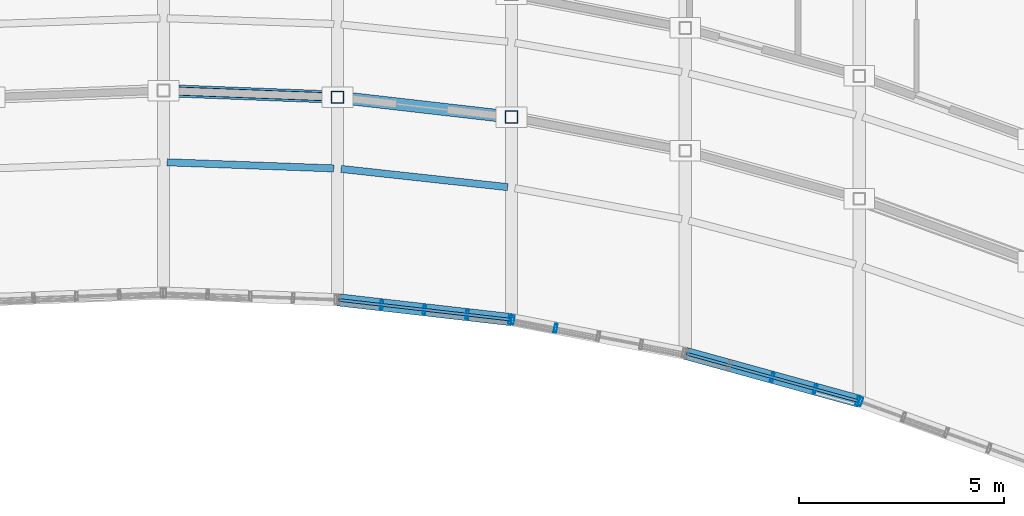
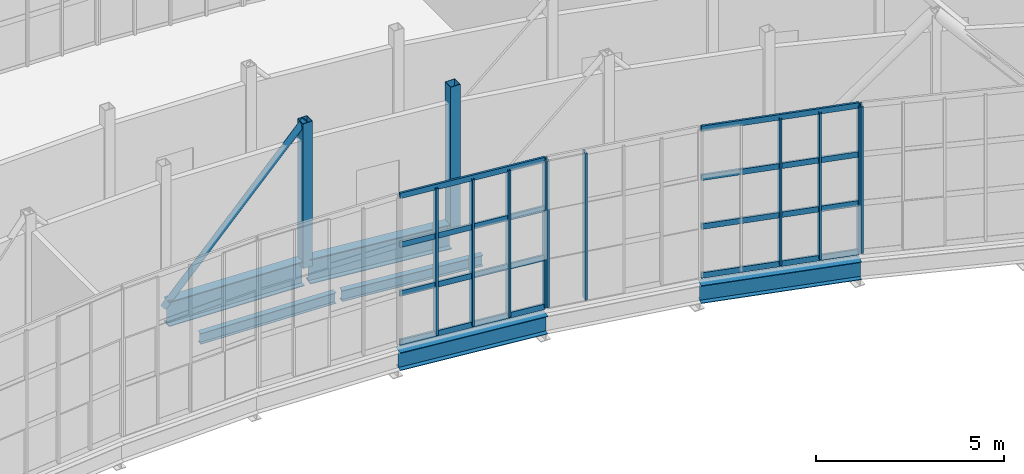
# One storey, part 20 of 66: 21 members, 6 beams, 4 elements without a shape of their own.
"""IFC4 building model written with IfcOpenShell, lengths in metres."""

from ifc_helpers import new_model, si_unit, direction, frame, origin, origin_2d, place, context, subcontext, project, spatial, hollow_rectangle, hollow_circle, i_section, extrude, material, material_profile, profile_set, type_object, element, aggregate, save


model = new_model("IFC4")

# Units and contexts
model_context = context("Model", 3, precision=1e-05, world=origin(), true_north=direction((0.0, 1.0)))
body_context = subcontext(model_context, "Body", "Model", "MODEL_VIEW")
ifc_project = project(units=[si_unit("LENGTHUNIT", "METRE"), si_unit("AREAUNIT", "SQUARE_METRE"), si_unit("VOLUMEUNIT", "CUBIC_METRE"), si_unit("PLANEANGLEUNIT", "RADIAN"), si_unit("MASSUNIT", "GRAM", prefix="KILO")], contexts=[model_context])

# Site, building, storey
site_placement = place(None, origin())
site = spatial("IfcSite", under=ifc_project, at=site_placement, CompositionType="ELEMENT")
building_placement = place(site_placement, origin())
building = spatial("IfcBuilding", under=site, at=building_placement, Name="Solvikara Media Centre", CompositionType="ELEMENT")
storey_placement = place(building_placement, frame((0.0, 0.0, 19.800048828125)))
storey = spatial("IfcBuildingStorey", under=building, at=storey_placement, Name="L04", CompositionType="ELEMENT", Elevation=19.800048828125)

# Beams
ifc_material_1 = material(Name="Steel S355JR", Category="steel")
ifc_material_profile_1 = material_profile(ifc_material_1, i_section(OverallWidth=0.300048828125, OverallDepth=0.800048828125, WebThickness=0.013916015625, FlangeThickness=0.02587890625, at=origin_2d()), Name="WF 800x300x14x26")
ifc_profile_set_1 = profile_set([ifc_material_profile_1], Name="Steel S355JR")
beam_type_1 = type_object("IfcBeamType", Name="BM-16", PredefinedType="BEAM", material=ifc_profile_set_1)
beam_1_placement = place(storey_placement, frame((102.090087890625, 30.4140625, -0.6220703125), z_axis=(0.999266124753, -0.038304202383, 0.0), x_axis=(0.038304202383, 0.999266124753, 0.0)))
element("IfcBeam", 1, at=beam_1_placement, inside=storey, type_object=beam_type_1, Name="B-L04-SPNS-06", PredefinedType="BEAM", context=body_context, shape_type="SweptSolid", body=[
    extrude(i_section(OverallWidth=0.300048828125, OverallDepth=0.800048828125, WebThickness=0.013916015625, FlangeThickness=0.02587890625, at=origin_2d()), origin(), (0.0, 0.0, 1.0), 4.07275390625),
])
beam_2_placement = place(storey_placement, frame((106.339111328125, 30.2451171875, -0.6220703125), z_axis=(0.993485932274, -0.113954826025, 0.0), x_axis=(0.113954826025, 0.993485932274, 0.0)))
element("IfcBeam", 2, at=beam_2_placement, inside=storey, type_object=beam_type_1, Name="B-L04-SPNS-07", PredefinedType="BEAM", context=body_context, shape_type="SweptSolid", body=[
    extrude(i_section(OverallWidth=0.300048828125, OverallDepth=0.800048828125, WebThickness=0.013916015625, FlangeThickness=0.02587890625, at=origin_2d()), origin(), (0.0, 0.0, 1.0), 4.098388671875),
])
ifc_material_profile_2 = material_profile(ifc_material_1, i_section(OverallWidth=0.175048828125, OverallDepth=0.35009765625, WebThickness=0.007080078125, FlangeThickness=0.010986328125, at=origin_2d()), Name="WF 350x175x7x11")
ifc_profile_set_2 = profile_set([ifc_material_profile_2], Name="Steel S355JR")
beam_type_2 = type_object("IfcBeamType", Name="BM-22", PredefinedType="JOIST", material=ifc_profile_set_2)
beam_3_placement = place(storey_placement, frame((102.090087890625, 28.6640625, -0.39697265625), z_axis=(0.999328966943, -0.036628074313, 0.0), x_axis=(0.036628074313, 0.999328966943, 0.0)))
element("IfcBeam", 3, at=beam_3_placement, inside=storey, type_object=beam_type_2, Name="BJ-L04-06-20", PredefinedType="JOIST", context=body_context, shape_type="SweptSolid", body=[
    extrude(i_section(OverallWidth=0.175048828125, OverallDepth=0.35009765625, WebThickness=0.007080078125, FlangeThickness=0.010986328125, at=origin_2d()), origin(), (0.0, 0.0, 1.0), 4.072509765625),
])
beam_4_placement = place(storey_placement, frame((106.339111328125, 28.501953125, -0.39697265625), z_axis=(0.994079138151, -0.108658488359, 0.0), x_axis=(0.108658488359, 0.994079138151, 0.0)))
element("IfcBeam", 4, at=beam_4_placement, inside=storey, type_object=beam_type_2, Name="BJ-L04-07-20", PredefinedType="JOIST", context=body_context, shape_type="SweptSolid", body=[
    extrude(i_section(OverallWidth=0.175048828125, OverallDepth=0.35009765625, WebThickness=0.007080078125, FlangeThickness=0.010986328125, at=origin_2d()), origin(), (0.0, 0.0, 1.0), 4.095947265625),
])
ifc_material_profile_3 = material_profile(ifc_material_1, i_section(OverallWidth=0.300048828125, OverallDepth=0.58203125, WebThickness=0.011962890625, FlangeThickness=0.01708984375, at=origin_2d()), Name="WF 582x300x12x17")
ifc_profile_set_3 = profile_set([ifc_material_profile_3], Name="Steel S355JR")
beam_type_3 = type_object("IfcBeamType", Name="BM-31", PredefinedType="SPANDREL", material=ifc_profile_set_3)
beam_5_placement = place(storey_placement, frame((106.25, 25.304931640625, -0.512939453125), z_axis=(0.993503575407, -0.113800903571, 0.0), x_axis=(0.113800903571, 0.993503575407, 0.0)))
element("IfcBeam", 5, at=beam_5_placement, inside=storey, type_object=beam_type_3, Name="B-L04-SARC-07", PredefinedType="SPANDREL", context=body_context, shape_type="SweptSolid", body=[
    extrude(i_section(OverallWidth=0.300048828125, OverallDepth=0.58203125, WebThickness=0.011962890625, FlangeThickness=0.01708984375, at=origin_2d()), origin(), (0.0, 0.0, 1.0), 4.27783203125),
])
beam_6_placement = place(storey_placement, frame((114.75, 23.99609375, -0.512939453125), z_axis=(0.964009749544, -0.265866889221, 0.0), x_axis=(0.265866889221, 0.964009749544, 0.0)))
element("IfcBeam", 6, at=beam_6_placement, inside=storey, type_object=beam_type_3, Name="B-L04-SARC-09", PredefinedType="SPANDREL", context=body_context, shape_type="SweptSolid", body=[
    extrude(i_section(OverallWidth=0.300048828125, OverallDepth=0.58203125, WebThickness=0.011962890625, FlangeThickness=0.01708984375, at=origin_2d()), origin(), (0.0, 0.0, 1.0), 4.40869140625),
])

# Members
ifc_material_profile_4 = material_profile(ifc_material_1, hollow_circle(Radius=0.096923828125, WallThickness=0.008056640625, at=origin_2d()), Name="CHS 193.7x8")
ifc_profile_set_4 = profile_set([ifc_material_profile_4], Name="Steel S355JR")
member_type_1 = type_object("IfcMemberType", Name="MB-06", PredefinedType="BRACE", material=ifc_profile_set_4)
member_1_placement = place(storey_placement, frame((102.0, 30.4169921875, -0.449951171875), z_axis=(0.67049113608, -0.025574799768, 0.741476611941), x_axis=(0.038115664855, 0.999273334025, 0.0)))
element("IfcMember", 7, at=member_1_placement, inside=storey, type_object=member_type_1, Name="WTR-L04-S-DA06", PredefinedType="BRACE", context=body_context, shape_type="SweptSolid", body=[
    extrude(hollow_circle(Radius=0.096923828125, WallThickness=0.008056640625, at=origin_2d()), origin(), (0.0, 0.0, 1.0), 6.338623046875),
])
ifc_material_profile_5 = material_profile(ifc_material_1, hollow_rectangle(XDim=0.300048828125, YDim=0.300048828125, WallThickness=0.012451171875, at=origin_2d()), Name="RHS 300x300x12.5")
ifc_profile_set_5 = profile_set([ifc_material_profile_5], Name="Steel S355JR")
member_type_2 = type_object("IfcMemberType", Name="MB-11", PredefinedType="CHORD", material=ifc_profile_set_5)
for number, where, z_axis, x_axis, name in (
    (8, (106.25, 30.2548828125, -0.449951171875), (0.0, 0.0, 1.0), (1.0, 0.0, 0.0), "WTR-L04-S-V07"),
    (9, (110.5, 29.76806640625, -0.449951171875), (0.0, 0.0, 1.0), (1.0, 0.0, 0.0), "WTR-L04-S-V08"),
):
    element("IfcMember", number, at=place(storey_placement, frame(where, z_axis=z_axis, x_axis=x_axis)), inside=storey, type_object=member_type_2, Name=name, PredefinedType="CHORD", context=body_context, shape_type="SweptSolid", body=[
        extrude(hollow_rectangle(XDim=0.300048828125, YDim=0.300048828125, WallThickness=0.012451171875, at=origin_2d()), origin(), (0.0, 0.0, 1.0), 4.699951171875),
    ])

# Curtain wall, members
ifc_material_2 = material(Name="Anodised aluminium EN AW-6063", Category="aluminium")
curtain_wall_type = type_object("IfcCurtainWallType", Name="CW-01", PredefinedType="NOTDEFINED", material=ifc_material_2)
curtain_wall_1_placement = place(storey_placement, origin())
curtain_wall_1 = element("IfcCurtainWall", 10, at=curtain_wall_1_placement, inside=storey, type_object=curtain_wall_type, Name="CW-L04-SARC-07", PredefinedType="NOTDEFINED")
ifc_material_profile_6 = material_profile(ifc_material_2, hollow_rectangle(XDim=0.06494140625, YDim=0.219970703125, WallThickness=0.00390625, at=origin_2d()), Name="ALU-M 65x220x4")
ifc_profile_set_6 = profile_set([ifc_material_profile_6], Name="Anodised aluminium EN AW-6063")
member_type_3 = type_object("IfcMemberType", Name="MF-01", PredefinedType="MULLION", material=ifc_profile_set_6)
member_2_placement = place(storey_placement, frame((107.330078125, 25.180908203125, 0.02001953125), z_axis=(0.0, 0.0, 1.0), x_axis=(0.993498545066, -0.113844810828, 0.0)))
member_2 = element("IfcMember", 11, at=member_2_placement, type_object=member_type_3, Name="CW-L04-SARC-07-M01", PredefinedType="MULLION", context=body_context, shape_type="SweptSolid", body=[
    extrude(hollow_rectangle(XDim=0.06494140625, YDim=0.219970703125, WallThickness=0.00390625, at=origin_2d()), origin(), (0.0, 0.0, 1.0), 4.760009765625),
])
member_3_placement = place(storey_placement, frame((108.375, 25.06103515625, 0.02001953125), z_axis=(0.0, 0.0, 1.0), x_axis=(0.993498545066, -0.113844810828, 0.0)))
member_3 = element("IfcMember", 12, at=member_3_placement, type_object=member_type_3, Name="CW-L04-SARC-07-M02", PredefinedType="MULLION", context=body_context, shape_type="SweptSolid", body=[
    extrude(hollow_rectangle(XDim=0.06494140625, YDim=0.219970703125, WallThickness=0.00390625, at=origin_2d()), origin(), (0.0, 0.0, 1.0), 4.760009765625),
])
member_4_placement = place(storey_placement, frame((109.419921875, 24.94189453125, 0.02001953125), z_axis=(0.0, 0.0, 1.0), x_axis=(0.993498545066, -0.113844810828, 0.0)))
member_4 = element("IfcMember", 13, at=member_4_placement, type_object=member_type_3, Name="CW-L04-SARC-07-M03", PredefinedType="MULLION", context=body_context, shape_type="SweptSolid", body=[
    extrude(hollow_rectangle(XDim=0.06494140625, YDim=0.219970703125, WallThickness=0.00390625, at=origin_2d()), origin(), (0.0, 0.0, 1.0), 4.760009765625),
])
member_5_placement = place(storey_placement, frame((110.465087890625, 24.822021484375, 0.02001953125), z_axis=(0.0, 0.0, 1.0), x_axis=(0.993498545066, -0.113844810828, 0.0)))
member_5 = element("IfcMember", 14, at=member_5_placement, type_object=member_type_3, Name="CW-L04-SARC-07-M04", PredefinedType="MULLION", context=body_context, shape_type="SweptSolid", body=[
    extrude(hollow_rectangle(XDim=0.06494140625, YDim=0.219970703125, WallThickness=0.00390625, at=origin_2d()), origin(), (0.0, 0.0, 1.0), 4.760009765625),
])

curtain_wall_2_placement = place(storey_placement, origin())
curtain_wall_2 = element("IfcCurtainWall", 15, at=curtain_wall_2_placement, inside=storey, type_object=curtain_wall_type, Name="CW-L04-SARC-08", PredefinedType="NOTDEFINED")
member_6_placement = place(storey_placement, frame((110.533935546875, 24.81103515625, 0.02001953125), z_axis=(0.0, 0.0, 1.0), x_axis=(0.981843017659, -0.189695252114, 0.0)))
member_6 = element("IfcMember", 16, at=member_6_placement, type_object=member_type_3, Name="CW-L04-SARC-08-M00", PredefinedType="MULLION", context=body_context, shape_type="SweptSolid", body=[
    extrude(hollow_rectangle(XDim=0.06494140625, YDim=0.219970703125, WallThickness=0.00390625, at=origin_2d()), origin(), (0.0, 0.0, 1.0), 4.760009765625),
])
member_7_placement = place(storey_placement, frame((111.580078125, 24.60888671875, 0.02001953125), z_axis=(0.0, 0.0, 1.0), x_axis=(0.981843017659, -0.189695252114, 0.0)))
member_7 = element("IfcMember", 17, at=member_7_placement, type_object=member_type_3, Name="CW-L04-SARC-08-M01", PredefinedType="MULLION", context=body_context, shape_type="SweptSolid", body=[
    extrude(hollow_rectangle(XDim=0.06494140625, YDim=0.219970703125, WallThickness=0.00390625, at=origin_2d()), origin(), (0.0, 0.0, 1.0), 4.760009765625),
])
aggregate(curtain_wall_2, [member_6, member_7])

curtain_wall_3_placement = place(storey_placement, origin())
curtain_wall_3 = element("IfcCurtainWall", 18, at=curtain_wall_3_placement, inside=storey, type_object=curtain_wall_type, Name="CW-L04-SARC-09", PredefinedType="NOTDEFINED")
member_8_placement = place(storey_placement, frame((116.875, 23.409912109375, 0.02001953125), z_axis=(0.0, 0.0, 1.0), x_axis=(0.96397015682, -0.26601040724, 0.0)))
member_8 = element("IfcMember", 19, at=member_8_placement, type_object=member_type_3, Name="CW-L04-SARC-09-M02", PredefinedType="MULLION", context=body_context, shape_type="SweptSolid", body=[
    extrude(hollow_rectangle(XDim=0.06494140625, YDim=0.219970703125, WallThickness=0.00390625, at=origin_2d()), origin(), (0.0, 0.0, 1.0), 4.760009765625),
])
member_9_placement = place(storey_placement, frame((117.9208984375, 23.12109375, 0.02001953125), z_axis=(0.0, 0.0, 1.0), x_axis=(0.96397015682, -0.26601040724, 0.0)))
member_9 = element("IfcMember", 20, at=member_9_placement, type_object=member_type_3, Name="CW-L04-SARC-09-M03", PredefinedType="MULLION", context=body_context, shape_type="SweptSolid", body=[
    extrude(hollow_rectangle(XDim=0.06494140625, YDim=0.219970703125, WallThickness=0.00390625, at=origin_2d()), origin(), (0.0, 0.0, 1.0), 4.760009765625),
])
member_10_placement = place(storey_placement, frame((118.966064453125, 22.8330078125, 0.02001953125), z_axis=(0.0, 0.0, 1.0), x_axis=(0.96397015682, -0.26601040724, 0.0)))
member_10 = element("IfcMember", 21, at=member_10_placement, type_object=member_type_3, Name="CW-L04-SARC-09-M04", PredefinedType="MULLION", context=body_context, shape_type="SweptSolid", body=[
    extrude(hollow_rectangle(XDim=0.06494140625, YDim=0.219970703125, WallThickness=0.00390625, at=origin_2d()), origin(), (0.0, 0.0, 1.0), 4.760009765625),
])

# Curtain wall, member
curtain_wall_4_placement = place(storey_placement, origin())
curtain_wall_4 = element("IfcCurtainWall", 22, at=curtain_wall_4_placement, inside=storey, type_object=curtain_wall_type, Name="CW-L04-SARC-10", PredefinedType="NOTDEFINED")
member_11_placement = place(storey_placement, frame((119.032958984375, 22.81201171875, 0.02001953125), z_axis=(0.0, 0.0, 1.0), x_axis=(0.939823877818, -0.341659302058, 0.0)))
member_11 = element("IfcMember", 23, at=member_11_placement, type_object=member_type_3, Name="CW-L04-SARC-10-M00", PredefinedType="MULLION", context=body_context, shape_type="SweptSolid", body=[
    extrude(hollow_rectangle(XDim=0.06494140625, YDim=0.219970703125, WallThickness=0.00390625, at=origin_2d()), origin(), (0.0, 0.0, 1.0), 4.760009765625),
])
aggregate(curtain_wall_4, [member_11])

# Member
ifc_material_profile_7 = material_profile(ifc_material_2, hollow_rectangle(XDim=0.06494140625, YDim=0.179931640625, WallThickness=0.00341796875, at=origin_2d()), Name="ALU-T 65x180x3.5")
ifc_profile_set_7 = profile_set([ifc_material_profile_7], Name="Anodised aluminium EN AW-6063")
member_type_4 = type_object("IfcMemberType", Name="MF-07", PredefinedType="USERDEFINED", material=ifc_profile_set_7)
member_12_placement = place(storey_placement, frame((106.284912109375, 25.301025390625, 0.02001953125), z_axis=(0.993498589361, -0.113844424269, 0.0), x_axis=(0.113844424269, 0.993498589361, 0.0)))
member_12 = element("IfcMember", 24, at=member_12_placement, type_object=member_type_4, Name="CW-L04-SARC-07-T00", ObjectType="TRANSOM", PredefinedType="USERDEFINED", context=body_context, shape_type="SweptSolid", body=[
    extrude(hollow_rectangle(XDim=0.06494140625, YDim=0.179931640625, WallThickness=0.00341796875, at=origin_2d()), origin(), (0.0, 0.0, 1.0), 4.20751953125),
])

member_13_placement = place(storey_placement, frame((106.284912109375, 25.301025390625, 1.60693359375), z_axis=(0.993498589361, -0.113844424269, 0.0), x_axis=(0.113844424269, 0.993498589361, 0.0)))
member_13 = element("IfcMember", 25, at=member_13_placement, type_object=member_type_4, Name="CW-L04-SARC-07-T01", ObjectType="TRANSOM", PredefinedType="USERDEFINED", context=body_context, shape_type="SweptSolid", body=[
    extrude(hollow_rectangle(XDim=0.06494140625, YDim=0.179931640625, WallThickness=0.00341796875, at=origin_2d()), origin(), (0.0, 0.0, 1.0), 4.20751953125),
])

member_14_placement = place(storey_placement, frame((106.284912109375, 25.301025390625, 3.19287109375), z_axis=(0.993498589361, -0.113844424269, 0.0), x_axis=(0.113844424269, 0.993498589361, 0.0)))
member_14 = element("IfcMember", 26, at=member_14_placement, type_object=member_type_4, Name="CW-L04-SARC-07-T02", ObjectType="TRANSOM", PredefinedType="USERDEFINED", context=body_context, shape_type="SweptSolid", body=[
    extrude(hollow_rectangle(XDim=0.06494140625, YDim=0.179931640625, WallThickness=0.00341796875, at=origin_2d()), origin(), (0.0, 0.0, 1.0), 4.20751953125),
])

member_15_placement = place(storey_placement, frame((106.284912109375, 25.301025390625, 4.780029296875), z_axis=(0.993498589361, -0.113844424269, 0.0), x_axis=(0.113844424269, 0.993498589361, 0.0)))
member_15 = element("IfcMember", 27, at=member_15_placement, type_object=member_type_4, Name="CW-L04-SARC-07-T03", ObjectType="TRANSOM", PredefinedType="USERDEFINED", context=body_context, shape_type="SweptSolid", body=[
    extrude(hollow_rectangle(XDim=0.06494140625, YDim=0.179931640625, WallThickness=0.00341796875, at=origin_2d()), origin(), (0.0, 0.0, 1.0), 4.20751953125),
])

aggregate(curtain_wall_1, [member_2, member_3, member_4, member_5, member_12, member_13, member_14, member_15])

member_16_placement = place(storey_placement, frame((114.783935546875, 23.987060546875, 0.02001953125), z_axis=(0.963971224803, -0.266006537049, 0.0), x_axis=(0.266006537049, 0.963971224803, 0.0)))
member_16 = element("IfcMember", 28, at=member_16_placement, type_object=member_type_4, Name="CW-L04-SARC-09-T00", ObjectType="TRANSOM", PredefinedType="USERDEFINED", context=body_context, shape_type="SweptSolid", body=[
    extrude(hollow_rectangle(XDim=0.06494140625, YDim=0.179931640625, WallThickness=0.00341796875, at=origin_2d()), origin(), (0.0, 0.0, 1.0), 4.33837890625),
])

member_17_placement = place(storey_placement, frame((114.783935546875, 23.987060546875, 1.60693359375), z_axis=(0.963971224803, -0.266006537049, 0.0), x_axis=(0.266006537049, 0.963971224803, 0.0)))
member_17 = element("IfcMember", 29, at=member_17_placement, type_object=member_type_4, Name="CW-L04-SARC-09-T01", ObjectType="TRANSOM", PredefinedType="USERDEFINED", context=body_context, shape_type="SweptSolid", body=[
    extrude(hollow_rectangle(XDim=0.06494140625, YDim=0.179931640625, WallThickness=0.00341796875, at=origin_2d()), origin(), (0.0, 0.0, 1.0), 4.33837890625),
])

member_18_placement = place(storey_placement, frame((114.783935546875, 23.987060546875, 3.19287109375), z_axis=(0.963971224803, -0.266006537049, 0.0), x_axis=(0.266006537049, 0.963971224803, 0.0)))
member_18 = element("IfcMember", 30, at=member_18_placement, type_object=member_type_4, Name="CW-L04-SARC-09-T02", ObjectType="TRANSOM", PredefinedType="USERDEFINED", context=body_context, shape_type="SweptSolid", body=[
    extrude(hollow_rectangle(XDim=0.06494140625, YDim=0.179931640625, WallThickness=0.00341796875, at=origin_2d()), origin(), (0.0, 0.0, 1.0), 4.33837890625),
])

member_19_placement = place(storey_placement, frame((114.783935546875, 23.987060546875, 4.780029296875), z_axis=(0.963971224803, -0.266006537049, 0.0), x_axis=(0.266006537049, 0.963971224803, 0.0)))
member_19 = element("IfcMember", 31, at=member_19_placement, type_object=member_type_4, Name="CW-L04-SARC-09-T03", ObjectType="TRANSOM", PredefinedType="USERDEFINED", context=body_context, shape_type="SweptSolid", body=[
    extrude(hollow_rectangle(XDim=0.06494140625, YDim=0.179931640625, WallThickness=0.00341796875, at=origin_2d()), origin(), (0.0, 0.0, 1.0), 4.33837890625),
])

aggregate(curtain_wall_3, [member_8, member_9, member_10, member_16, member_17, member_18, member_19])

save(model, "model.ifc")
